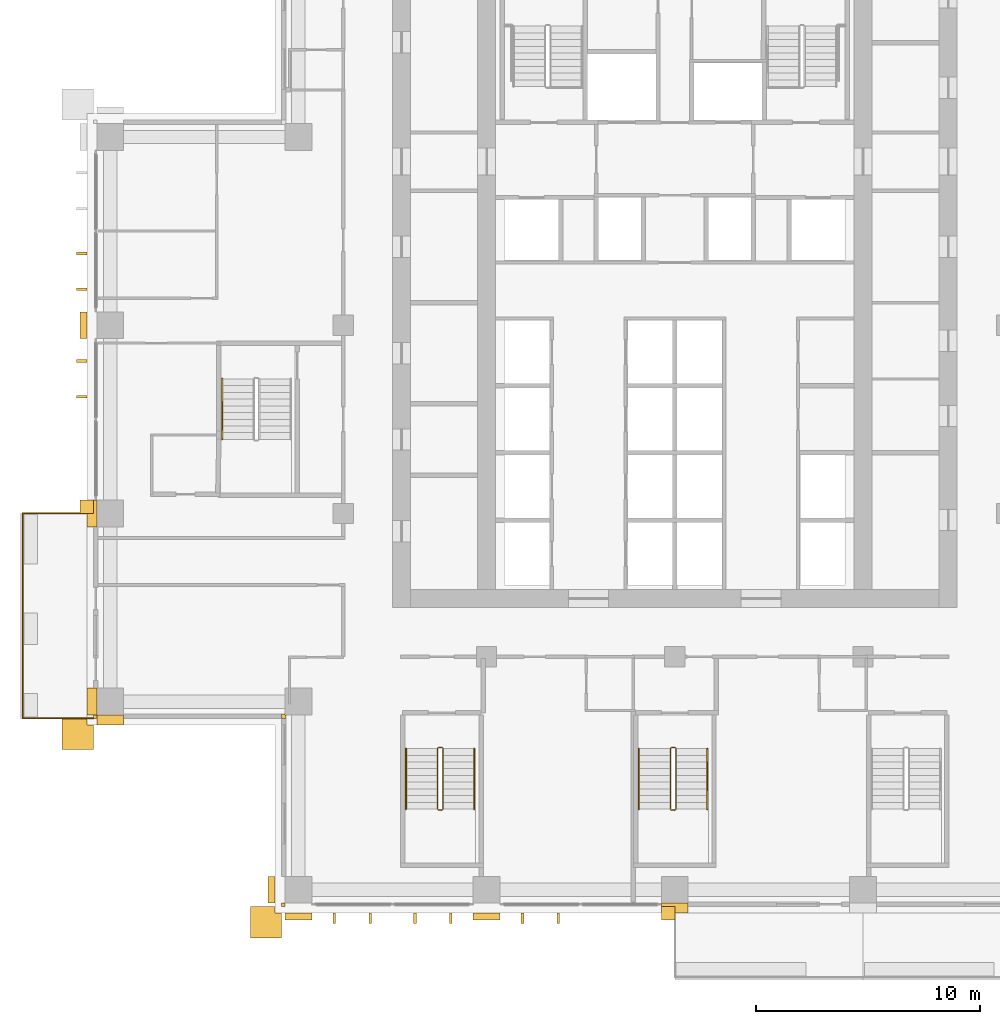
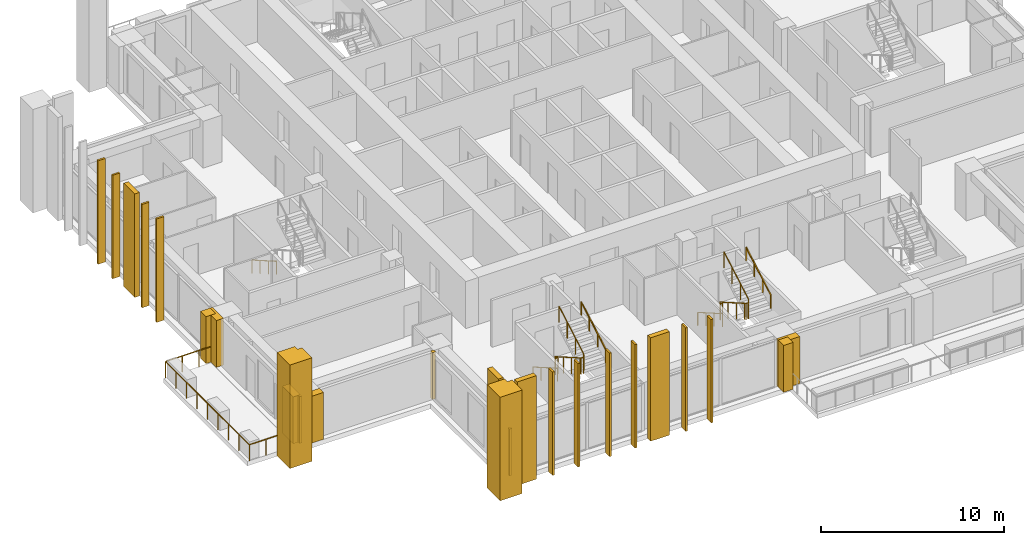
# One storey, part 15 of 19: 25 coverings, 8 railings.
"""IFC4 building model written with IfcOpenShell, lengths in metres."""

from ifc_helpers import new_model, si_unit, direction, frame, origin, origin_2d, place, context, subcontext, project, spatial, polyline, rectangle, outline, extrude, material, layer, layer_set, type_object, element, save


model = new_model("IFC4")

# Units and contexts
model_context = context("Model", 3, precision=1e-05, world=origin(), true_north=direction((0.0, 1.0)))
body_context = subcontext(model_context, "Body", "Model", "MODEL_VIEW")
ifc_project = project(units=[si_unit("LENGTHUNIT", "METRE"), si_unit("AREAUNIT", "SQUARE_METRE"), si_unit("VOLUMEUNIT", "CUBIC_METRE"), si_unit("PLANEANGLEUNIT", "RADIAN"), si_unit("MASSUNIT", "GRAM", prefix="KILO")], contexts=[model_context])

# Site, building, storey
site_placement = place(None, origin())
site = spatial("IfcSite", under=ifc_project, at=site_placement, CompositionType="ELEMENT")
building_placement = place(site_placement, origin())
building = spatial("IfcBuilding", under=site, at=building_placement, Name="Vermilion Ogive Tower", CompositionType="ELEMENT")
storey_placement = place(building_placement, frame((0.0, 0.0, 90.75)))
storey = spatial("IfcBuildingStorey", under=building, at=storey_placement, Name="L22", CompositionType="ELEMENT", Elevation=90.75)

# Railing
ifc_material_1 = material(Name="Stainless steel and glass", Category="steel")
railing_type_1 = type_object("IfcRailingType", Name="Balcony guard", PredefinedType="GUARDRAIL", material=ifc_material_1)
railing_1_placement = place(storey_placement, frame((-25.949951171875, -4.199951171875, -0.0400390625)))
element("IfcRailing", 1, at=railing_1_placement, inside=storey, type_object=railing_type_1, Name="Guard W03", PredefinedType="GUARDRAIL", context=body_context, shape_type="SweptSolid", body=[
    extrude(rectangle(XDim=0.048095703125, YDim=0.048095703125, at=origin_2d()), frame((0.0, 0.0, 1.076171875), z_axis=(-1.0, 0.0, 0.0), x_axis=(0.0, -1.0, 0.0)), (0.0, 0.0, 1.0), 3.16015625),
    extrude(rectangle(XDim=0.048095703125, YDim=0.048095703125, at=origin_2d()), frame((-3.16015625, 0.0, 1.076171875), z_axis=(0.0, -1.0, 0.0), x_axis=(1.0, 0.0, 0.0)), (0.0, 0.0, 1.0), 9.150146484375),
    extrude(rectangle(XDim=0.048095703125, YDim=0.048095703125, at=origin_2d()), frame((-3.16015625, -9.150146484375, 1.076171875), z_axis=(1.0, 0.0, 0.0), x_axis=(0.0, 1.0, 0.0)), (0.0, 0.0, 1.0), 3.16015625),
    extrude(rectangle(XDim=0.0419921875, YDim=0.0419921875, at=origin_2d()), origin(), (0.0, 0.0, 1.0), 1.052001953125),
    extrude(rectangle(XDim=0.0419921875, YDim=0.0419921875, at=origin_2d()), frame((-1.053466796875, 0.0, 0.0)), (0.0, 0.0, 1.0), 1.052001953125),
    extrude(rectangle(XDim=0.0419921875, YDim=0.0419921875, at=origin_2d()), frame((-2.106689453125, 0.0, 0.0)), (0.0, 0.0, 1.0), 1.052001953125),
    extrude(rectangle(XDim=0.0419921875, YDim=0.0419921875, at=origin_2d()), frame((-3.16015625, 0.0, 0.0)), (0.0, 0.0, 1.0), 1.052001953125),
    extrude(rectangle(XDim=0.0419921875, YDim=0.0419921875, at=origin_2d()), frame((-3.16015625, -1.143798828125, 0.0)), (0.0, 0.0, 1.0), 1.052001953125),
    extrude(rectangle(XDim=0.0419921875, YDim=0.0419921875, at=origin_2d()), frame((-3.16015625, -2.28759765625, 0.0)), (0.0, 0.0, 1.0), 1.052001953125),
    extrude(rectangle(XDim=0.0419921875, YDim=0.0419921875, at=origin_2d()), frame((-3.16015625, -3.431396484375, 0.0)), (0.0, 0.0, 1.0), 1.052001953125),
    extrude(rectangle(XDim=0.0419921875, YDim=0.0419921875, at=origin_2d()), frame((-3.16015625, -4.5751953125, 0.0)), (0.0, 0.0, 1.0), 1.052001953125),
    extrude(rectangle(XDim=0.0419921875, YDim=0.0419921875, at=origin_2d()), frame((-3.16015625, -5.71875, 0.0)), (0.0, 0.0, 1.0), 1.052001953125),
    extrude(rectangle(XDim=0.0419921875, YDim=0.0419921875, at=origin_2d()), frame((-3.16015625, -6.862548828125, 0.0)), (0.0, 0.0, 1.0), 1.052001953125),
    extrude(rectangle(XDim=0.0419921875, YDim=0.0419921875, at=origin_2d()), frame((-3.16015625, -8.00634765625, 0.0)), (0.0, 0.0, 1.0), 1.052001953125),
    extrude(rectangle(XDim=0.0419921875, YDim=0.0419921875, at=origin_2d()), frame((-3.16015625, -9.150146484375, 0.0)), (0.0, 0.0, 1.0), 1.052001953125),
    extrude(rectangle(XDim=0.0419921875, YDim=0.0419921875, at=origin_2d()), frame((-2.106689453125, -9.150146484375, 0.0)), (0.0, 0.0, 1.0), 1.052001953125),
    extrude(rectangle(XDim=0.0419921875, YDim=0.0419921875, at=origin_2d()), frame((-1.053466796875, -9.150146484375, 0.0)), (0.0, 0.0, 1.0), 1.052001953125),
    extrude(rectangle(XDim=0.0419921875, YDim=0.0419921875, at=origin_2d()), frame((0.0, -9.150146484375, 0.0)), (0.0, 0.0, 1.0), 1.052001953125),
])

# Coverings
ifc_material_2 = material(Name="Glazed ceramic screen")
ifc_layer = layer(ifc_material_2, 0.14990234375)
ifc_layer_set = layer_set([ifc_layer], Name="Ceramic solar screen fin")
covering_type_1 = type_object("IfcCoveringType", Name="Ceramic solar screen fin", PredefinedType="CLADDING", material=ifc_layer_set)
covering_1_placement = place(storey_placement, frame((0.0, 0.0, -0.320068359375)))
element("IfcCovering", 2, at=covering_1_placement, inside=storey, type_object=covering_type_1, Name="Solar screen blade S961", PredefinedType="CLADDING", context=body_context, shape_type="SweptSolid", body=[
    extrude(outline(polyline([(-15.260009765625, -22.5), (-15.139892578125, -22.5), (-15.139892578125, -22.050048828125), (-15.260009765625, -22.050048828125), (-15.260009765625, -22.5)])), origin(), (0.0, 0.0, 1.0), 6.900146484375),
])
covering_2_placement = place(storey_placement, frame((0.0, 0.0, -0.320068359375)))
element("IfcCovering", 3, at=covering_2_placement, inside=storey, type_object=covering_type_1, Name="Solar screen blade S962", PredefinedType="CLADDING", context=body_context, shape_type="SweptSolid", body=[
    extrude(outline(polyline([(-13.659912109375, -22.5), (-13.5400390625, -22.5), (-13.5400390625, -22.050048828125), (-13.659912109375, -22.050048828125), (-13.659912109375, -22.5)])), origin(), (0.0, 0.0, 1.0), 6.900146484375),
])
covering_3_placement = place(storey_placement, frame((0.0, 0.0, -0.320068359375)))
element("IfcCovering", 4, at=covering_3_placement, inside=storey, type_object=covering_type_1, Name="Solar screen blade S971", PredefinedType="CLADDING", context=body_context, shape_type="SweptSolid", body=[
    extrude(outline(polyline([(-11.659912109375, -22.5), (-11.5400390625, -22.5), (-11.5400390625, -22.050048828125), (-11.659912109375, -22.050048828125), (-11.659912109375, -22.5)])), origin(), (0.0, 0.0, 1.0), 6.900146484375),
])
covering_4_placement = place(storey_placement, frame((0.0, 0.0, -0.320068359375)))
element("IfcCovering", 5, at=covering_4_placement, inside=storey, type_object=covering_type_1, Name="Solar screen blade S972", PredefinedType="CLADDING", context=body_context, shape_type="SweptSolid", body=[
    extrude(outline(polyline([(-10.06005859375, -22.5), (-9.93994140625, -22.5), (-9.93994140625, -22.050048828125), (-10.06005859375, -22.050048828125), (-10.06005859375, -22.5)])), origin(), (0.0, 0.0, 1.0), 6.900146484375),
])
covering_5_placement = place(storey_placement, frame((0.0, 0.0, -0.320068359375)))
element("IfcCovering", 6, at=covering_5_placement, inside=storey, type_object=covering_type_1, Name="Solar screen blade S981", PredefinedType="CLADDING", context=body_context, shape_type="SweptSolid", body=[
    extrude(outline(polyline([(-6.860107421875, -22.5), (-6.739990234375, -22.5), (-6.739990234375, -22.050048828125), (-6.860107421875, -22.050048828125), (-6.860107421875, -22.5)])), origin(), (0.0, 0.0, 1.0), 6.900146484375),
])
covering_6_placement = place(storey_placement, frame((0.0, 0.0, -0.320068359375)))
element("IfcCovering", 7, at=covering_6_placement, inside=storey, type_object=covering_type_1, Name="Solar screen blade S982", PredefinedType="CLADDING", context=body_context, shape_type="SweptSolid", body=[
    extrude(outline(polyline([(-5.260009765625, -22.5), (-5.139892578125, -22.5), (-5.139892578125, -22.050048828125), (-5.260009765625, -22.050048828125), (-5.260009765625, -22.5)])), origin(), (0.0, 0.0, 1.0), 6.900146484375),
])
covering_7_placement = place(storey_placement, frame((0.0, 0.0, -0.320068359375)))
element("IfcCovering", 8, at=covering_7_placement, inside=storey, type_object=covering_type_1, Name="Solar screen blade W011", PredefinedType="CLADDING", context=body_context, shape_type="SweptSolid", body=[
    extrude(outline(polyline([(-26.699951171875, 7.4599609375), (-26.699951171875, 7.340087890625), (-26.25, 7.340087890625), (-26.25, 7.4599609375), (-26.699951171875, 7.4599609375)])), origin(), (0.0, 0.0, 1.0), 6.900146484375),
])
covering_8_placement = place(storey_placement, frame((0.0, 0.0, -0.320068359375)))
element("IfcCovering", 9, at=covering_8_placement, inside=storey, type_object=covering_type_1, Name="Solar screen blade W012", PredefinedType="CLADDING", context=body_context, shape_type="SweptSolid", body=[
    extrude(outline(polyline([(-26.699951171875, 5.860107421875), (-26.699951171875, 5.739990234375), (-26.25, 5.739990234375), (-26.25, 5.860107421875), (-26.699951171875, 5.860107421875)])), origin(), (0.0, 0.0, 1.0), 6.900146484375),
])
covering_9_placement = place(storey_placement, frame((0.0, 0.0, -0.320068359375)))
element("IfcCovering", 10, at=covering_9_placement, inside=storey, type_object=covering_type_1, Name="Solar screen blade W001", PredefinedType="CLADDING", context=body_context, shape_type="SweptSolid", body=[
    extrude(outline(polyline([(-26.699951171875, 2.659912109375), (-26.699951171875, 2.5400390625), (-26.25, 2.5400390625), (-26.25, 2.659912109375), (-26.699951171875, 2.659912109375)])), origin(), (0.0, 0.0, 1.0), 6.900146484375),
])
covering_10_placement = place(storey_placement, frame((0.0, 0.0, -0.320068359375)))
element("IfcCovering", 11, at=covering_10_placement, inside=storey, type_object=covering_type_1, Name="Solar screen blade W002", PredefinedType="CLADDING", context=body_context, shape_type="SweptSolid", body=[
    extrude(outline(polyline([(-26.699951171875, 1.06005859375), (-26.699951171875, 0.93994140625), (-26.25, 0.93994140625), (-26.25, 1.06005859375), (-26.699951171875, 1.06005859375)])), origin(), (0.0, 0.0, 1.0), 6.900146484375),
])

# Railings
ifc_material_3 = material(Name="Steel S355 painted", Category="steel")
railing_type_2 = type_object("IfcRailingType", Name="Stair guard 1100", PredefinedType="GUARDRAIL", material=ifc_material_3)
railing_2_placement = place(storey_placement, frame((-10.39990234375, -14.64990234375, 0.0)))
element("IfcRailing", 12, at=railing_2_placement, inside=storey, type_object=railing_type_2, Name="L22 ST3 stair guard 4", PredefinedType="GUARDRAIL", context=body_context, shape_type="SweptSolid", body=[
    extrude(rectangle(XDim=0.048095703125, YDim=0.048095703125, at=origin_2d()), frame((0.0, 0.0, 1.076171875), z_axis=(-1.0, 0.0, 0.0), x_axis=(0.0, -1.0, 0.0)), (0.0, 0.0, 1.0), 0.150146484375),
    extrude(rectangle(XDim=0.048095703125, YDim=0.048095703125, at=origin_2d()), frame((-0.150146484375, 0.0, 1.076171875), z_axis=(-0.268277960024, -0.268277960024, 0.925231793839), x_axis=(0.707106781187, -0.707106781187, 0.0)), (0.0, 0.0, 1.0), 0.1865234375),
    extrude(rectangle(XDim=0.048095703125, YDim=0.048095703125, at=origin_2d()), frame((-0.2001953125, -0.050048828125, 1.24853515625), z_axis=(0.0, -0.866903762492, 0.498475542607), x_axis=(1.0, 0.0, 0.0)), (0.0, 0.0, 1.0), 3.114501953125),
    extrude(rectangle(XDim=0.048095703125, YDim=0.048095703125, at=origin_2d()), frame((-0.2001953125, -2.75, 2.80126953125), z_axis=(0.707106781187, -0.707106781187, 0.0), x_axis=(0.707106781187, 0.707106781187, 0.0)), (0.0, 0.0, 1.0), 0.07080078125),
    extrude(rectangle(XDim=0.048095703125, YDim=0.048095703125, at=origin_2d()), frame((-0.150146484375, -2.800048828125, 2.80126953125), z_axis=(1.0, 0.0, 0.0), x_axis=(0.0, 1.0, 0.0)), (0.0, 0.0, 1.0), 0.150146484375),
    extrude(rectangle(XDim=0.048095703125, YDim=0.048095703125, at=origin_2d()), frame((0.0, -2.800048828125, 2.80126953125), z_axis=(0.267386790225, 0.268697509785, 0.925368009307), x_axis=(-0.708833529934, 0.705375805398, 0.0)), (0.0, 0.0, 1.0), 0.186279296875),
    extrude(rectangle(XDim=0.048095703125, YDim=0.048095703125, at=origin_2d()), frame((0.0498046875, -2.75, 2.9736328125), z_axis=(0.0, 0.866903762492, 0.498475542607), x_axis=(-1.0, 0.0, 0.0)), (0.0, 0.0, 1.0), 3.114501953125),
    extrude(rectangle(XDim=0.0419921875, YDim=0.0419921875, at=origin_2d()), origin(), (0.0, 0.0, 1.0), 1.052001953125),
    extrude(rectangle(XDim=0.0419921875, YDim=0.0419921875, at=origin_2d()), frame((-0.150146484375, 0.0, 0.0)), (0.0, 0.0, 1.0), 1.052001953125),
    extrude(rectangle(XDim=0.0419921875, YDim=0.0419921875, at=origin_2d()), frame((-0.2001953125, -0.050048828125, 0.172607421875)), (0.0, 0.0, 1.0), 1.052001953125),
    extrude(rectangle(XDim=0.0419921875, YDim=0.0419921875, at=origin_2d()), frame((-0.2001953125, -0.949951171875, 0.690185546875)), (0.0, 0.0, 1.0), 1.052001953125),
    extrude(rectangle(XDim=0.0419921875, YDim=0.0419921875, at=origin_2d()), frame((-0.2001953125, -1.85009765625, 1.20751953125)), (0.0, 0.0, 1.0), 1.052001953125),
    extrude(rectangle(XDim=0.0419921875, YDim=0.0419921875, at=origin_2d()), frame((-0.2001953125, -2.75, 1.72509765625)), (0.0, 0.0, 1.0), 1.052001953125),
    extrude(rectangle(XDim=0.0419921875, YDim=0.0419921875, at=origin_2d()), frame((-0.150146484375, -2.800048828125, 1.72509765625)), (0.0, 0.0, 1.0), 1.052001953125),
    extrude(rectangle(XDim=0.0419921875, YDim=0.0419921875, at=origin_2d()), frame((0.0, -2.800048828125, 1.72509765625)), (0.0, 0.0, 1.0), 1.052001953125),
    extrude(rectangle(XDim=0.0419921875, YDim=0.0419921875, at=origin_2d()), frame((0.0498046875, -2.75, 1.8974609375)), (0.0, 0.0, 1.0), 1.052001953125),
    extrude(rectangle(XDim=0.0419921875, YDim=0.0419921875, at=origin_2d()), frame((0.0498046875, -1.85009765625, 2.4150390625)), (0.0, 0.0, 1.0), 1.052001953125),
    extrude(rectangle(XDim=0.0419921875, YDim=0.0419921875, at=origin_2d()), frame((0.0498046875, -0.949951171875, 2.932373046875)), (0.0, 0.0, 1.0), 1.052001953125),
    extrude(rectangle(XDim=0.0419921875, YDim=0.0419921875, at=origin_2d()), frame((0.0498046875, -0.050048828125, 3.449951171875)), (0.0, 0.0, 1.0), 1.052001953125),
])
railing_3_placement = place(storey_placement, frame((0.0, -14.64990234375, 0.0)))
element("IfcRailing", 13, at=railing_3_placement, inside=storey, type_object=railing_type_2, Name="L22 ST4 stair guard 4", PredefinedType="GUARDRAIL", context=body_context, shape_type="SweptSolid", body=[
    extrude(rectangle(XDim=0.048095703125, YDim=0.048095703125, at=origin_2d()), frame((0.0, 0.0, 1.076171875), z_axis=(-1.0, 0.0, 0.0), x_axis=(0.0, -1.0, 0.0)), (0.0, 0.0, 1.0), 0.14990234375),
    extrude(rectangle(XDim=0.048095703125, YDim=0.048095703125, at=origin_2d()), frame((-0.14990234375, 0.0, 1.076171875), z_axis=(-0.268277960024, -0.268277960024, 0.925231793839), x_axis=(0.707106781187, -0.707106781187, 0.0)), (0.0, 0.0, 1.0), 0.1865234375),
    extrude(rectangle(XDim=0.048095703125, YDim=0.048095703125, at=origin_2d()), frame((-0.199951171875, -0.050048828125, 1.24853515625), z_axis=(0.0, -0.866903762492, 0.498475542607), x_axis=(1.0, 0.0, 0.0)), (0.0, 0.0, 1.0), 3.114501953125),
    extrude(rectangle(XDim=0.048095703125, YDim=0.048095703125, at=origin_2d()), frame((-0.199951171875, -2.75, 2.80126953125), z_axis=(0.707106781187, -0.707106781187, 0.0), x_axis=(0.707106781187, 0.707106781187, 0.0)), (0.0, 0.0, 1.0), 0.07080078125),
    extrude(rectangle(XDim=0.048095703125, YDim=0.048095703125, at=origin_2d()), frame((-0.14990234375, -2.800048828125, 2.80126953125), z_axis=(1.0, 0.0, 0.0), x_axis=(0.0, 1.0, 0.0)), (0.0, 0.0, 1.0), 0.14990234375),
    extrude(rectangle(XDim=0.048095703125, YDim=0.048095703125, at=origin_2d()), frame((0.0, -2.800048828125, 2.80126953125), z_axis=(0.268603158521, 0.268603158521, 0.925043072762), x_axis=(-0.707106781187, 0.707106781187, 0.0)), (0.0, 0.0, 1.0), 0.186279296875),
    extrude(rectangle(XDim=0.048095703125, YDim=0.048095703125, at=origin_2d()), frame((0.050048828125, -2.75, 2.9736328125), z_axis=(0.0, 0.866903762492, 0.498475542607), x_axis=(-1.0, 0.0, 0.0)), (0.0, 0.0, 1.0), 3.114501953125),
    extrude(rectangle(XDim=0.0419921875, YDim=0.0419921875, at=origin_2d()), origin(), (0.0, 0.0, 1.0), 1.052001953125),
    extrude(rectangle(XDim=0.0419921875, YDim=0.0419921875, at=origin_2d()), frame((-0.14990234375, 0.0, 0.0)), (0.0, 0.0, 1.0), 1.052001953125),
    extrude(rectangle(XDim=0.0419921875, YDim=0.0419921875, at=origin_2d()), frame((-0.199951171875, -0.050048828125, 0.172607421875)), (0.0, 0.0, 1.0), 1.052001953125),
    extrude(rectangle(XDim=0.0419921875, YDim=0.0419921875, at=origin_2d()), frame((-0.199951171875, -0.949951171875, 0.690185546875)), (0.0, 0.0, 1.0), 1.052001953125),
    extrude(rectangle(XDim=0.0419921875, YDim=0.0419921875, at=origin_2d()), frame((-0.199951171875, -1.85009765625, 1.20751953125)), (0.0, 0.0, 1.0), 1.052001953125),
    extrude(rectangle(XDim=0.0419921875, YDim=0.0419921875, at=origin_2d()), frame((-0.199951171875, -2.75, 1.72509765625)), (0.0, 0.0, 1.0), 1.052001953125),
    extrude(rectangle(XDim=0.0419921875, YDim=0.0419921875, at=origin_2d()), frame((-0.14990234375, -2.800048828125, 1.72509765625)), (0.0, 0.0, 1.0), 1.052001953125),
    extrude(rectangle(XDim=0.0419921875, YDim=0.0419921875, at=origin_2d()), frame((0.0, -2.800048828125, 1.72509765625)), (0.0, 0.0, 1.0), 1.052001953125),
    extrude(rectangle(XDim=0.0419921875, YDim=0.0419921875, at=origin_2d()), frame((0.050048828125, -2.75, 1.8974609375)), (0.0, 0.0, 1.0), 1.052001953125),
    extrude(rectangle(XDim=0.0419921875, YDim=0.0419921875, at=origin_2d()), frame((0.050048828125, -1.85009765625, 2.4150390625)), (0.0, 0.0, 1.0), 1.052001953125),
    extrude(rectangle(XDim=0.0419921875, YDim=0.0419921875, at=origin_2d()), frame((0.050048828125, -0.949951171875, 2.932373046875)), (0.0, 0.0, 1.0), 1.052001953125),
    extrude(rectangle(XDim=0.0419921875, YDim=0.0419921875, at=origin_2d()), frame((0.050048828125, -0.050048828125, 3.449951171875)), (0.0, 0.0, 1.0), 1.052001953125),
])
ifc_material_4 = material(Name="Stainless steel", Category="steel")
railing_type_3 = type_object("IfcRailingType", Name="Stair handrail 900", PredefinedType="HANDRAIL", material=ifc_material_4)
railing_4_placement = place(storey_placement, frame((-12.0, -14.699951171875, 0.172607421875)))
element("IfcRailing", 14, at=railing_4_placement, inside=storey, type_object=railing_type_3, Name="L22 ST3 stair handrail 1", PredefinedType="HANDRAIL", context=body_context, shape_type="SweptSolid", body=[
    extrude(rectangle(XDim=0.048095703125, YDim=0.048095703125, at=origin_2d()), frame((0.0, 0.0, 0.8759765625), z_axis=(0.0, -0.866903762492, 0.498475542607), x_axis=(1.0, 0.0, 0.0)), (0.0, 0.0, 1.0), 3.114501953125),
    extrude(rectangle(XDim=0.0419921875, YDim=0.0419921875, at=origin_2d()), origin(), (0.0, 0.0, 1.0), 0.851806640625),
    extrude(rectangle(XDim=0.0419921875, YDim=0.0419921875, at=origin_2d()), frame((0.0, -0.89990234375, 0.517578125)), (0.0, 0.0, 1.0), 0.851806640625),
    extrude(rectangle(XDim=0.0419921875, YDim=0.0419921875, at=origin_2d()), frame((0.0, -1.800048828125, 1.034912109375)), (0.0, 0.0, 1.0), 0.851806640625),
    extrude(rectangle(XDim=0.0419921875, YDim=0.0419921875, at=origin_2d()), frame((0.0, -2.699951171875, 1.552490234375)), (0.0, 0.0, 1.0), 0.851806640625),
])
railing_5_placement = place(storey_placement, frame((-8.949951171875, -17.39990234375, 1.8974609375)))
element("IfcRailing", 15, at=railing_5_placement, inside=storey, type_object=railing_type_3, Name="L22 ST3 stair handrail 2", PredefinedType="HANDRAIL", context=body_context, shape_type="SweptSolid", body=[
    extrude(rectangle(XDim=0.048095703125, YDim=0.048095703125, at=origin_2d()), frame((0.0, 0.0, 0.8759765625), z_axis=(0.0, 0.866903762492, 0.498475542607), x_axis=(-1.0, 0.0, 0.0)), (0.0, 0.0, 1.0), 3.114501953125),
    extrude(rectangle(XDim=0.0419921875, YDim=0.0419921875, at=origin_2d()), origin(), (0.0, 0.0, 1.0), 0.851806640625),
    extrude(rectangle(XDim=0.0419921875, YDim=0.0419921875, at=origin_2d()), frame((0.0, 0.89990234375, 0.517578125)), (0.0, 0.0, 1.0), 0.851806640625),
    extrude(rectangle(XDim=0.0419921875, YDim=0.0419921875, at=origin_2d()), frame((0.0, 1.800048828125, 1.034912109375)), (0.0, 0.0, 1.0), 0.851806640625),
    extrude(rectangle(XDim=0.0419921875, YDim=0.0419921875, at=origin_2d()), frame((0.0, 2.699951171875, 1.552490234375)), (0.0, 0.0, 1.0), 0.851806640625),
])
railing_6_placement = place(storey_placement, frame((-1.60009765625, -14.699951171875, 0.172607421875)))
element("IfcRailing", 16, at=railing_6_placement, inside=storey, type_object=railing_type_3, Name="L22 ST4 stair handrail 1", PredefinedType="HANDRAIL", context=body_context, shape_type="SweptSolid", body=[
    extrude(rectangle(XDim=0.048095703125, YDim=0.048095703125, at=origin_2d()), frame((0.0, 0.0, 0.8759765625), z_axis=(0.0, -0.866903762492, 0.498475542607), x_axis=(1.0, 0.0, 0.0)), (0.0, 0.0, 1.0), 3.114501953125),
    extrude(rectangle(XDim=0.0419921875, YDim=0.0419921875, at=origin_2d()), origin(), (0.0, 0.0, 1.0), 0.851806640625),
    extrude(rectangle(XDim=0.0419921875, YDim=0.0419921875, at=origin_2d()), frame((0.0, -0.89990234375, 0.517578125)), (0.0, 0.0, 1.0), 0.851806640625),
    extrude(rectangle(XDim=0.0419921875, YDim=0.0419921875, at=origin_2d()), frame((0.0, -1.800048828125, 1.034912109375)), (0.0, 0.0, 1.0), 0.851806640625),
    extrude(rectangle(XDim=0.0419921875, YDim=0.0419921875, at=origin_2d()), frame((0.0, -2.699951171875, 1.552490234375)), (0.0, 0.0, 1.0), 0.851806640625),
])
railing_7_placement = place(storey_placement, frame((1.449951171875, -17.39990234375, 1.8974609375)))
element("IfcRailing", 17, at=railing_7_placement, inside=storey, type_object=railing_type_3, Name="L22 ST4 stair handrail 2", PredefinedType="HANDRAIL", context=body_context, shape_type="SweptSolid", body=[
    extrude(rectangle(XDim=0.048095703125, YDim=0.048095703125, at=origin_2d()), frame((0.0, 0.0, 0.8759765625), z_axis=(0.0, 0.866903762492, 0.498475542607), x_axis=(-1.0, 0.0, 0.0)), (0.0, 0.0, 1.0), 3.114501953125),
    extrude(rectangle(XDim=0.0419921875, YDim=0.0419921875, at=origin_2d()), origin(), (0.0, 0.0, 1.0), 0.851806640625),
    extrude(rectangle(XDim=0.0419921875, YDim=0.0419921875, at=origin_2d()), frame((0.0, 0.89990234375, 0.517578125)), (0.0, 0.0, 1.0), 0.851806640625),
    extrude(rectangle(XDim=0.0419921875, YDim=0.0419921875, at=origin_2d()), frame((0.0, 1.800048828125, 1.034912109375)), (0.0, 0.0, 1.0), 0.851806640625),
    extrude(rectangle(XDim=0.0419921875, YDim=0.0419921875, at=origin_2d()), frame((0.0, 2.699951171875, 1.552490234375)), (0.0, 0.0, 1.0), 0.851806640625),
])
railing_8_placement = place(storey_placement, frame((-20.199951171875, 1.800048828125, 0.172607421875)))
element("IfcRailing", 18, at=railing_8_placement, inside=storey, type_object=railing_type_3, Name="L22 ST9 stair handrail 1", PredefinedType="HANDRAIL", context=body_context, shape_type="SweptSolid", body=[
    extrude(rectangle(XDim=0.048095703125, YDim=0.048095703125, at=origin_2d()), frame((0.0, 0.0, 0.8759765625), z_axis=(0.0, -0.866903762492, 0.498475542607), x_axis=(1.0, 0.0, 0.0)), (0.0, 0.0, 1.0), 3.114501953125),
    extrude(rectangle(XDim=0.0419921875, YDim=0.0419921875, at=origin_2d()), origin(), (0.0, 0.0, 1.0), 0.851806640625),
    extrude(rectangle(XDim=0.0419921875, YDim=0.0419921875, at=origin_2d()), frame((0.0, -0.89990234375, 0.517578125)), (0.0, 0.0, 1.0), 0.851806640625),
    extrude(rectangle(XDim=0.0419921875, YDim=0.0419921875, at=origin_2d()), frame((0.0, -1.800048828125, 1.034912109375)), (0.0, 0.0, 1.0), 0.851806640625),
    extrude(rectangle(XDim=0.0419921875, YDim=0.0419921875, at=origin_2d()), frame((0.0, -2.699951171875, 1.552490234375)), (0.0, 0.0, 1.0), 0.851806640625),
])

# Coverings
ifc_material_5 = material(Name="Stone cladding", Category="masonry")
covering_type_2 = type_object("IfcCoveringType", Name="Stone corner buttress", PredefinedType="CLADDING", material=ifc_material_5)
covering_11_placement = place(storey_placement, origin())
element("IfcCovering", 19, at=covering_11_placement, inside=storey, type_object=covering_type_2, Name="Stone crease pier SK", PredefinedType="CLADDING", context=body_context, shape_type="SweptSolid", body=[
    extrude(outline(polyline([(-0.60009765625, -22.35009765625), (0.0, -22.35009765625), (0.0, -21.75), (-0.60009765625, -21.75), (-0.60009765625, -22.35009765625)])), origin(), (0.0, 0.0, 1.0), 3.1298828125),
])
covering_12_placement = place(storey_placement, origin())
element("IfcCovering", 20, at=covering_12_placement, inside=storey, type_object=covering_type_2, Name="Stone crease pier WK", PredefinedType="CLADDING", context=body_context, shape_type="SweptSolid", body=[
    extrude(outline(polyline([(-26.550048828125, -3.60009765625), (-26.550048828125, -4.199951171875), (-25.949951171875, -4.199951171875), (-25.949951171875, -3.60009765625), (-26.550048828125, -3.60009765625)])), origin(), (0.0, 0.0, 1.0), 3.1298828125),
])
covering_13_placement = place(storey_placement, frame((0.0, 0.0, -0.320068359375)))
element("IfcCovering", 21, at=covering_13_placement, inside=storey, type_object=covering_type_2, Name="Stone corner buttress S1", PredefinedType="CLADDING", context=body_context, shape_type="SweptSolid", body=[
    extrude(outline(polyline([(-17.85009765625, -21.75), (-17.85009765625, -22.050048828125), (-17.550048828125, -22.050048828125), (-17.550048828125, -23.14990234375), (-18.949951171875, -23.14990234375), (-18.949951171875, -21.75), (-17.85009765625, -21.75)])), origin(), (0.0, 0.0, 1.0), 6.900146484375),
])
covering_14_placement = place(storey_placement, frame((0.0, 0.0, -0.320068359375)))
element("IfcCovering", 22, at=covering_14_placement, inside=storey, type_object=covering_type_2, Name="Stone corner buttress X71", PredefinedType="CLADDING", context=body_context, shape_type="SweptSolid", body=[
    extrude(outline(polyline([(-27.35009765625, -13.35009765625), (-26.25, -13.35009765625), (-26.25, -13.64990234375), (-25.949951171875, -13.64990234375), (-25.949951171875, -14.75), (-27.35009765625, -14.75), (-27.35009765625, -13.35009765625)])), origin(), (0.0, 0.0, 1.0), 6.900146484375),
])
ifc_material_6 = material(Name="Stone cladding", Category="masonry")
covering_type_3 = type_object("IfcCoveringType", Name="Stone pier", PredefinedType="CLADDING", material=ifc_material_6)
covering_15_placement = place(storey_placement, origin())
element("IfcCovering", 23, at=covering_15_placement, inside=storey, type_object=covering_type_3, Name="Stone corner pier WE1", PredefinedType="CLADDING", context=body_context, shape_type="SweptSolid", body=[
    extrude(outline(polyline([(-25.949951171875, -13.199951171875), (-25.800048828125, -13.199951171875), (-25.800048828125, -13.35009765625), (-25.949951171875, -13.35009765625), (-25.949951171875, -13.199951171875)])), origin(), (0.0, 0.0, 1.0), 3.1298828125),
])
covering_16_placement = place(storey_placement, origin())
element("IfcCovering", 24, at=covering_16_placement, inside=storey, type_object=covering_type_3, Name="Stone corner pier X7E1", PredefinedType="CLADDING", context=body_context, shape_type="SweptSolid", body=[
    extrude(outline(polyline([(-17.39990234375, -13.14990234375), (-17.39990234375, -13.199951171875), (-17.35009765625, -13.199951171875), (-17.35009765625, -13.35009765625), (-17.550048828125, -13.35009765625), (-17.550048828125, -13.14990234375), (-17.39990234375, -13.14990234375)])), origin(), (0.0, 0.0, 1.0), 3.1298828125),
])
covering_17_placement = place(storey_placement, origin())
element("IfcCovering", 25, at=covering_17_placement, inside=storey, type_object=covering_type_3, Name="Stone corner pier X8E1", PredefinedType="CLADDING", context=body_context, shape_type="SweptSolid", body=[
    extrude(outline(polyline([(-17.550048828125, -21.60009765625), (-17.39990234375, -21.60009765625), (-17.39990234375, -21.60009765625), (-17.39990234375, -21.75), (-17.550048828125, -21.75), (-17.550048828125, -21.60009765625)])), origin(), (0.0, 0.0, 1.0), 3.1298828125),
])
covering_18_placement = place(storey_placement, frame((0.0, 0.0, -0.320068359375)))
element("IfcCovering", 26, at=covering_18_placement, inside=storey, type_object=covering_type_3, Name="Stone pier P-0084-210", PredefinedType="CLADDING", context=body_context, shape_type="SweptSolid", body=[
    extrude(outline(polyline([(-7.800048828125, -22.35009765625), (-9.0, -22.35009765625), (-9.0, -22.050048828125), (-7.800048828125, -22.050048828125), (-7.800048828125, -22.35009765625)])), origin(), (0.0, 0.0, 1.0), 6.900146484375),
])
covering_19_placement = place(storey_placement, frame((0.0, 0.0, -0.320068359375)))
element("IfcCovering", 27, at=covering_19_placement, inside=storey, type_object=covering_type_3, Name="Stone pier P-0168-210S", PredefinedType="CLADDING", context=body_context, shape_type="SweptSolid", body=[
    extrude(outline(polyline([(-16.199951171875, -22.35009765625), (-17.39990234375, -22.35009765625), (-17.39990234375, -22.050048828125), (-16.199951171875, -22.050048828125), (-16.199951171875, -22.35009765625)])), origin(), (0.0, 0.0, 1.0), 6.900146484375),
])
covering_20_placement = place(storey_placement, frame((0.0, 0.0, -0.320068359375)))
element("IfcCovering", 28, at=covering_20_placement, inside=storey, type_object=covering_type_3, Name="Stone pier P-0168-210X8", PredefinedType="CLADDING", context=body_context, shape_type="SweptSolid", body=[
    extrude(outline(polyline([(-18.14990234375, -20.39990234375), (-17.85009765625, -20.39990234375), (-17.85009765625, -21.60009765625), (-18.14990234375, -21.60009765625), (-18.14990234375, -20.39990234375)])), origin(), (0.0, 0.0, 1.0), 6.900146484375),
])
covering_21_placement = place(storey_placement, frame((0.0, 0.0, -0.320068359375)))
element("IfcCovering", 29, at=covering_21_placement, inside=storey, type_object=covering_type_3, Name="Stone pier P-0252+042", PredefinedType="CLADDING", context=body_context, shape_type="SweptSolid", body=[
    extrude(outline(polyline([(-26.550048828125, 3.60009765625), (-26.550048828125, 4.800048828125), (-26.25, 4.800048828125), (-26.25, 3.60009765625), (-26.550048828125, 3.60009765625)])), origin(), (0.0, 0.0, 1.0), 6.900146484375),
])
covering_22_placement = place(storey_placement, origin())
element("IfcCovering", 30, at=covering_22_placement, inside=storey, type_object=covering_type_3, Name="Stone pier P+0000-210", PredefinedType="CLADDING", context=body_context, shape_type="SweptSolid", body=[
    extrude(outline(polyline([(0.60009765625, -21.60009765625), (0.60009765625, -21.60009765625), (0.60009765625, -22.050048828125), (0.0, -22.050048828125), (0.0, -21.75), (-0.60009765625, -21.75), (-0.60009765625, -22.050048828125), (-0.60009765625, -22.050048828125), (-0.60009765625, -21.60009765625), (-0.60009765625, -21.60009765625), (0.60009765625, -21.60009765625)])), origin(), (0.0, 0.0, 1.0), 3.1298828125),
])
covering_23_placement = place(storey_placement, origin())
element("IfcCovering", 31, at=covering_23_placement, inside=storey, type_object=covering_type_3, Name="Stone pier P-0252-042", PredefinedType="CLADDING", context=body_context, shape_type="SweptSolid", body=[
    extrude(outline(polyline([(-25.800048828125, -4.800048828125), (-25.800048828125, -4.800048828125), (-26.25, -4.800048828125), (-26.25, -4.199951171875), (-25.949951171875, -4.199951171875), (-25.949951171875, -3.60009765625), (-26.25, -3.60009765625), (-26.25, -3.60009765625), (-25.800048828125, -3.60009765625), (-25.800048828125, -3.60009765625), (-25.800048828125, -4.800048828125)])), origin(), (0.0, 0.0, 1.0), 3.1298828125),
])
covering_24_placement = place(storey_placement, origin())
element("IfcCovering", 32, at=covering_24_placement, inside=storey, type_object=covering_type_3, Name="Stone pier P-0252-126W", PredefinedType="CLADDING", context=body_context, shape_type="SweptSolid", body=[
    extrude(outline(polyline([(-25.800048828125, -13.199951171875), (-25.800048828125, -13.199951171875), (-26.25, -13.199951171875), (-26.25, -12.0), (-25.800048828125, -12.0), (-25.800048828125, -12.0), (-25.800048828125, -13.199951171875)])), origin(), (0.0, 0.0, 1.0), 3.1298828125),
])
covering_25_placement = place(storey_placement, origin())
element("IfcCovering", 33, at=covering_25_placement, inside=storey, type_object=covering_type_3, Name="Stone pier P-0252-126X7", PredefinedType="CLADDING", context=body_context, shape_type="SweptSolid", body=[
    extrude(outline(polyline([(-25.800048828125, -13.64990234375), (-25.800048828125, -13.199951171875), (-25.800048828125, -13.199951171875), (-24.60009765625, -13.199951171875), (-24.60009765625, -13.64990234375), (-25.800048828125, -13.64990234375)])), origin(), (0.0, 0.0, 1.0), 3.1298828125),
])

save(model, "model.ifc")
